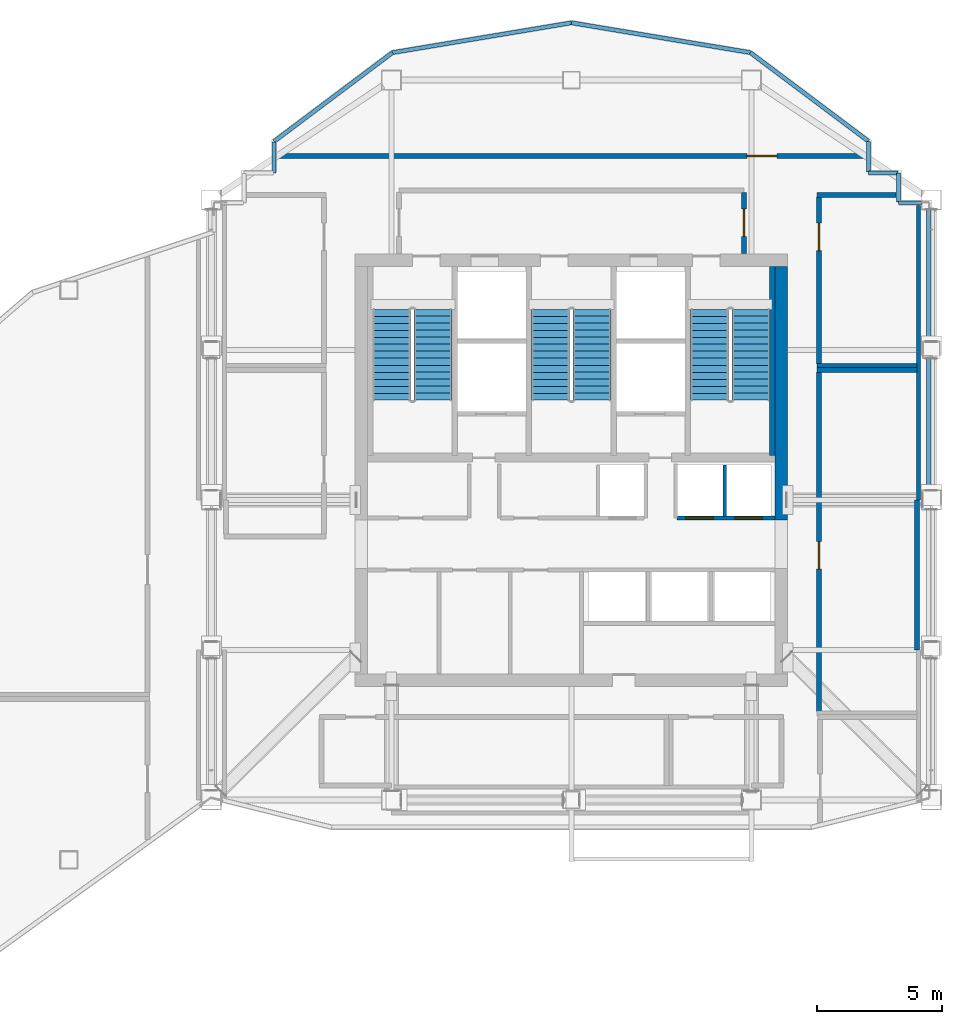
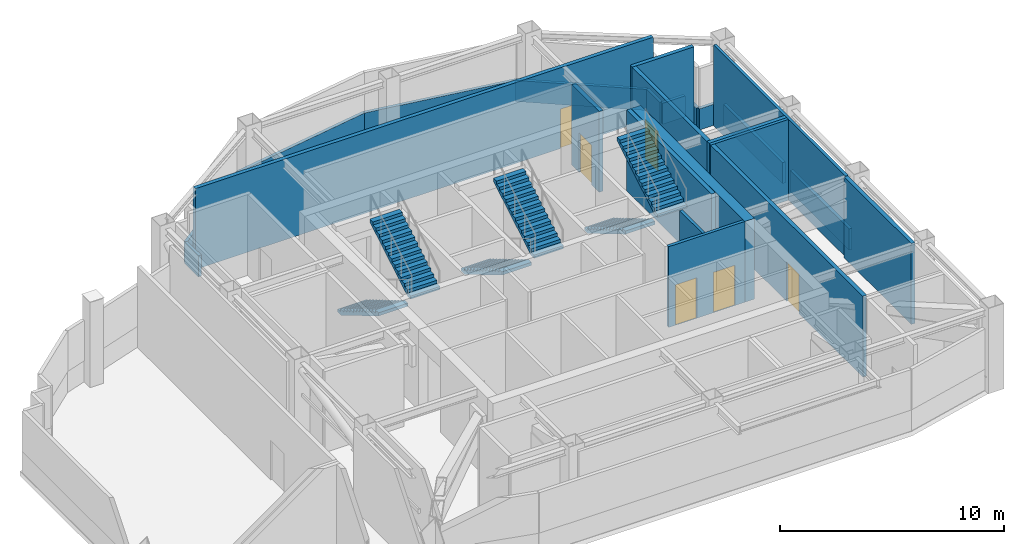
# One storey, part 12 of 15: 24 walls, 6 doors, 6 stair flights, 6 openings, 3 elements without a shape of their own.
"""IFC4 building model written with IfcOpenShell, lengths in metres."""

from ifc_helpers import new_model, si_unit, direction, frame, frame_2d, origin, place, context, subcontext, project, spatial, polyline, rectangle, outline, extrude, material, layer, layer_set, type_object, element, fill, aggregate, save


model = new_model("IFC4")

# Units and contexts
model_context = context("Model", 3, precision=1e-05, world=origin(), true_north=direction((0.0, 1.0)))
body_context = subcontext(model_context, "Body", "Model", "MODEL_VIEW")
ifc_project = project(units=[si_unit("LENGTHUNIT", "METRE"), si_unit("AREAUNIT", "SQUARE_METRE"), si_unit("VOLUMEUNIT", "CUBIC_METRE"), si_unit("PLANEANGLEUNIT", "RADIAN"), si_unit("MASSUNIT", "GRAM", prefix="KILO")], contexts=[model_context])

# Site, building, storey
site_placement = place(None, origin())
site = spatial("IfcSite", under=ifc_project, at=site_placement, CompositionType="ELEMENT")
building_placement = place(site_placement, origin())
building = spatial("IfcBuilding", under=site, at=building_placement, Name="Haolan Belvedere Tower", CompositionType="ELEMENT")
storey_placement = place(building_placement, frame((0.0, 0.0, 277.550048828125)))
storey = spatial("IfcBuildingStorey", under=building, at=storey_placement, Name="L70", CompositionType="ELEMENT", Elevation=277.550048828125)

# Wall
ifc_material_1 = material(Name="Concrete C50/60", Category="concrete")
ifc_layer_1 = layer(ifc_material_1, 0.5, Name="Concrete C50/60")
ifc_layer_set_1 = layer_set([ifc_layer_1], Name="Concrete C50/60")
wall_type_1 = type_object("IfcWallType", Name="WL-CORE-500", PredefinedType="SHEAR", material=ifc_layer_set_1)
wall_1_placement = place(storey_placement, frame((46.800048828125, 32.800048828125, 0.0), z_axis=(0.0, 0.0, 1.0), x_axis=(0.0, 1.0, 0.0)))
element("IfcWall", 1, at=wall_1_placement, inside=storey, type_object=wall_type_1, Name="L70 central core shear wall EN", PredefinedType="SHEAR", context=body_context, shape_type="SweptSolid", body=[
    extrude(rectangle(XDim=10.14990234375, YDim=0.5, at=frame_2d((5.074951171875, 0.0))), origin(), (0.0, 0.0, 1.0), 4.39990234375),
])

# Wall, opening, door
ifc_material_2 = material(Name="Concrete C40/50", Category="concrete")
ifc_layer_2 = layer(ifc_material_2, 0.199951171875, Name="Concrete C40/50")
ifc_layer_set_2 = layer_set([ifc_layer_2], Name="Concrete C40/50")
wall_type_2 = type_object("IfcWallType", Name="WL-FIRE-200", PredefinedType="SOLIDWALL", material=ifc_layer_set_2)
wall_2_placement = place(storey_placement, frame((45.300048828125, 43.449951171875, 0.0), z_axis=(0.0, 0.0, 1.0), x_axis=(0.0, 1.0, 0.0)))
wall_2 = element("IfcWall", 2, at=wall_2_placement, inside=storey, type_object=wall_type_2, Name="L70 interior partition IW-L70-FFL-E", PredefinedType="SOLIDWALL", context=body_context, shape_type="SweptSolid", body=[
    extrude(rectangle(XDim=2.445068359375, YDim=0.199951171875, at=frame_2d((1.22265625, 0.0))), origin(), (0.0, 0.0, 1.0), 4.39990234375),
])
opening_1_placement = place(wall_2_placement, frame((0.699951171875, 0.0, 0.0)))
opening_1 = element("IfcOpeningElement", 3, at=opening_1_placement, cuts=wall_2, Name="Opening FD-03", PredefinedType="OPENING", context=body_context, shape_type="SweptSolid", body=[
    extrude(rectangle(XDim=1.10009765625, YDim=2.14990234375, at=frame_2d((0.550048828125, 1.074951171875))), frame((0.0, 0.10986328125, 0.0), z_axis=(0.0, -1.0, 0.0), x_axis=(1.0, 0.0, 0.0)), (0.0, 0.0, 1.0), 0.219970703125),
])
ifc_material_3 = material(Name="Galvanised fire-rated steel", Category="steel")
door_type_1 = type_object("IfcDoorType", Name="DR-FD90-1100", OperationType="NOTDEFINED", PredefinedType="DOOR", material=ifc_material_3)
door_1_placement = place(opening_1_placement, origin())
door_1 = element("IfcDoor", 4, at=door_1_placement, inside=storey, type_object=door_type_1, Name="L70 door ID-L70-FFL-DE", OperationType="SINGLE_SWING_RIGHT", OverallHeight=2.14990234375, OverallWidth=1.10009765625, PredefinedType="DOOR", context=body_context, shape_type="SweptSolid", body=[
    extrude(rectangle(XDim=1.10009765625, YDim=2.14990234375, at=frame_2d((0.550048828125, 1.074951171875))), frame((0.0, 0.02490234375, 0.0), z_axis=(0.0, -1.0, 0.0), x_axis=(1.0, 0.0, 0.0)), (0.0, 0.0, 1.0), 0.050048828125),
])
fill(opening_1, door_1)

wall_3_placement = place(storey_placement, frame((26.612060546875, 47.360107421875, 0.0), z_axis=(0.0, 0.0, 1.0), x_axis=(1.0, 0.0, 0.0)))
wall_3 = element("IfcWall", 5, at=wall_3_placement, inside=storey, type_object=wall_type_2, Name="L70 interior partition IW-L70-REF-N-S", PredefinedType="SOLIDWALL", context=body_context, shape_type="SweptSolid", body=[
    extrude(rectangle(XDim=23.575927734375, YDim=0.199951171875, at=frame_2d((11.7880859375, 0.0))), origin(), (0.0, 0.0, 1.0), 4.39990234375),
])
opening_2_placement = place(wall_3_placement, frame((18.80908203125, 0.0, 0.0)))
opening_2 = element("IfcOpeningElement", 6, at=opening_2_placement, cuts=wall_3, Name="Opening FD-02", PredefinedType="OPENING", context=body_context, shape_type="SweptSolid", body=[
    extrude(rectangle(XDim=1.199951171875, YDim=2.14990234375, at=frame_2d((0.60009765625, 1.074951171875))), frame((0.0, 0.10986328125, 0.0), z_axis=(0.0, -1.0, 0.0), x_axis=(1.0, 0.0, 0.0)), (0.0, 0.0, 1.0), 0.219970703125),
])
door_type_2 = type_object("IfcDoorType", Name="DR-FD90-1200", OperationType="NOTDEFINED", PredefinedType="DOOR", material=ifc_material_3)
door_2_placement = place(opening_2_placement, origin())
door_2 = element("IfcDoor", 7, at=door_2_placement, inside=storey, type_object=door_type_2, Name="L70 door ID-L70-REF-N", OperationType="SINGLE_SWING_LEFT", OverallHeight=2.14990234375, OverallWidth=1.199951171875, PredefinedType="DOOR", context=body_context, shape_type="SweptSolid", body=[
    extrude(rectangle(XDim=1.199951171875, YDim=2.14990234375, at=frame_2d((0.60009765625, 1.074951171875))), frame((0.0, 0.02490234375, 0.0), z_axis=(0.0, -1.0, 0.0), x_axis=(1.0, 0.0, 0.0)), (0.0, 0.0, 1.0), 0.050048828125),
])
fill(opening_2, door_2)

# Wall
wall_4_placement = place(storey_placement, frame((48.219970703125, 38.800048828125, 0.0), z_axis=(0.0, 0.0, 1.0), x_axis=(1.0, 0.0, 0.0)))
element("IfcWall", 8, at=wall_4_placement, inside=storey, type_object=wall_type_2, Name="L70 interior partition IW-L70-REF-E1-N", PredefinedType="SOLIDWALL", context=body_context, shape_type="SweptSolid", body=[
    extrude(rectangle(XDim=4.0, YDim=0.199951171875, at=frame_2d((2.0, 0.0))), origin(), (0.0, 0.0, 1.0), 4.39990234375),
])

# Wall, opening, door
wall_5_placement = place(storey_placement, frame((48.300048828125, 25.135009765625, 0.0), z_axis=(0.0, 0.0, 1.0), x_axis=(0.0, 1.0, 0.0)))
wall_5 = element("IfcWall", 9, at=wall_5_placement, inside=storey, type_object=wall_type_2, Name="L70 interior partition IW-L70-REF-E1-W", PredefinedType="SOLIDWALL", context=body_context, shape_type="SweptSolid", body=[
    extrude(rectangle(XDim=13.580078125, YDim=0.199951171875, at=frame_2d((6.7900390625, 0.0))), origin(), (0.0, 0.0, 1.0), 4.39990234375),
])
opening_3_placement = place(wall_5_placement, frame((5.70361328125, 0.0, 0.0)))
opening_3 = element("IfcOpeningElement", 10, at=opening_3_placement, cuts=wall_5, Name="Opening FD-03", PredefinedType="OPENING", context=body_context, shape_type="SweptSolid", body=[
    extrude(rectangle(XDim=1.10009765625, YDim=2.14990234375, at=frame_2d((0.550048828125, 1.074951171875))), frame((0.0, 0.10986328125, 0.0), z_axis=(0.0, -1.0, 0.0), x_axis=(1.0, 0.0, 0.0)), (0.0, 0.0, 1.0), 0.219970703125),
])
door_3_placement = place(opening_3_placement, origin())
door_3 = element("IfcDoor", 11, at=door_3_placement, inside=storey, type_object=door_type_1, Name="L70 door ID-L70-REF-E1", OperationType="SINGLE_SWING_RIGHT", OverallHeight=2.14990234375, OverallWidth=1.10009765625, PredefinedType="DOOR", context=body_context, shape_type="SweptSolid", body=[
    extrude(rectangle(XDim=1.10009765625, YDim=2.14990234375, at=frame_2d((0.550048828125, 1.074951171875))), frame((0.0, 0.02490234375, 0.0), z_axis=(0.0, -1.0, 0.0), x_axis=(1.0, 0.0, 0.0)), (0.0, 0.0, 1.0), 0.050048828125),
])
fill(opening_3, door_3)

# Walls
wall_6_placement = place(storey_placement, frame((52.219970703125, 27.60205078125, 0.0), z_axis=(0.0, 0.0, 1.0), x_axis=(0.0, 1.0, 0.0)))
element("IfcWall", 12, at=wall_6_placement, inside=storey, type_object=wall_type_2, Name="L70 interior partition IW-L70-REF-E1-E", PredefinedType="SOLIDWALL", context=body_context, shape_type="SweptSolid", body=[
    extrude(rectangle(XDim=5.995849609375, YDim=0.199951171875, at=frame_2d((2.998046875, 0.0))), origin(), (0.0, 0.0, 1.0), 4.39990234375),
])
wall_7_placement = place(storey_placement, frame((48.219970703125, 45.800048828125, 0.0), z_axis=(0.0, 0.0, 1.0), x_axis=(1.0, 0.0, 0.0)))
element("IfcWall", 13, at=wall_7_placement, inside=storey, type_object=wall_type_2, Name="L70 interior partition IW-L70-REF-E2-N", PredefinedType="SOLIDWALL", context=body_context, shape_type="SweptSolid", body=[
    extrude(rectangle(XDim=3.16796875, YDim=0.199951171875, at=frame_2d((1.583984375, 0.0))), origin(), (0.0, 0.0, 1.0), 4.39990234375),
])
wall_8_placement = place(storey_placement, frame((48.219970703125, 38.9599609375, 0.0), z_axis=(0.0, 0.0, 1.0), x_axis=(1.0, 0.0, 0.0)))
element("IfcWall", 14, at=wall_8_placement, inside=storey, type_object=wall_type_2, Name="L70 interior partition IW-L70-REF-E2-S", PredefinedType="SOLIDWALL", context=body_context, shape_type="SweptSolid", body=[
    extrude(rectangle(XDim=4.0, YDim=0.199951171875, at=frame_2d((2.0, 0.0))), origin(), (0.0, 0.0, 1.0), 4.39990234375),
])

# Wall, opening, door
wall_9_placement = place(storey_placement, frame((48.300048828125, 39.044921875, 0.0), z_axis=(0.0, 0.0, 1.0), x_axis=(0.0, 1.0, 0.0)))
wall_9 = element("IfcWall", 15, at=wall_9_placement, inside=storey, type_object=wall_type_2, Name="L70 interior partition IW-L70-REF-E2-W", PredefinedType="SOLIDWALL", context=body_context, shape_type="SweptSolid", body=[
    extrude(rectangle(XDim=6.670166015625, YDim=0.199951171875, at=frame_2d((3.3349609375, 0.0))), origin(), (0.0, 0.0, 1.0), 4.39990234375),
])
opening_4_placement = place(wall_9_placement, frame((4.534912109375, 0.0, 0.0)))
opening_4 = element("IfcOpeningElement", 16, at=opening_4_placement, cuts=wall_9, Name="Opening FD-03", PredefinedType="OPENING", context=body_context, shape_type="SweptSolid", body=[
    extrude(rectangle(XDim=1.10009765625, YDim=2.14990234375, at=frame_2d((0.550048828125, 1.074951171875))), frame((0.0, 0.10986328125, 0.0), z_axis=(0.0, -1.0, 0.0), x_axis=(1.0, 0.0, 0.0)), (0.0, 0.0, 1.0), 0.219970703125),
])
door_4_placement = place(opening_4_placement, origin())
door_4 = element("IfcDoor", 17, at=door_4_placement, inside=storey, type_object=door_type_1, Name="L70 door ID-L70-REF-E2", OperationType="SINGLE_SWING_LEFT", OverallHeight=2.14990234375, OverallWidth=1.10009765625, PredefinedType="DOOR", context=body_context, shape_type="SweptSolid", body=[
    extrude(rectangle(XDim=1.10009765625, YDim=2.14990234375, at=frame_2d((0.550048828125, 1.074951171875))), frame((0.0, 0.02490234375, 0.0), z_axis=(0.0, -1.0, 0.0), x_axis=(1.0, 0.0, 0.0)), (0.0, 0.0, 1.0), 0.050048828125),
])
fill(opening_4, door_4)

# Walls
ifc_material_4 = material(Name="Precast concrete C40/50", Category="concrete")
ifc_layer_3 = layer(ifc_material_4, 0.159912109375, Name="Precast concrete C40/50")
ifc_layer_set_3 = layer_set([ifc_layer_3], Name="Precast concrete C40/50")
wall_type_3 = type_object("IfcWallType", Name="WL-PAR-160", PredefinedType="PARAPET", material=ifc_layer_set_3)
for number, where, z_axis, x_axis, name in (
    (18, (52.68994140625, 33.991943359375, 0.0), (0.0, 0.0, 1.0), (0.0, 1.0, 0.0), "L70 refuge open-band parapet 3.3"),
    (19, (52.68994140625, 39.94189453125, 0.0), (0.0, 0.0, 1.0), (0.0, 1.0, 0.0), "L70 refuge open-band parapet 3.4"),
):
    element("IfcWall", number, at=place(storey_placement, frame(where, z_axis=z_axis, x_axis=x_axis)), inside=storey, type_object=wall_type_3, Name=name, PredefinedType="PARAPET", context=body_context, shape_type="SweptSolid", body=[
        extrude(rectangle(XDim=5.26611328125, YDim=0.159912109375, at=frame_2d((2.633056640625, 0.0))), origin(), (0.0, 0.0, 1.0), 1.14990234375),
    ])
wall_10_placement = place(storey_placement, frame((52.407958984375, 45.489990234375, 0.0), z_axis=(0.0, 0.0, 1.0), x_axis=(-1.0, 0.0, 0.0)))
element("IfcWall", 20, at=wall_10_placement, inside=storey, type_object=wall_type_3, Name="L70 refuge open-band parapet 4.1", PredefinedType="PARAPET", context=body_context, shape_type="SweptSolid", body=[
    extrude(rectangle(XDim=0.91796875, YDim=0.159912109375, at=frame_2d((0.458984375, 0.0))), origin(), (0.0, 0.0, 1.0), 1.14990234375),
])
for number, where, z_axis, x_axis, name in (
    (21, (51.489990234375, 45.52001953125, 0.0), (0.0, 0.0, 1.0), (0.0, 1.0, 0.0), "L70 refuge open-band parapet 5.1"),
    (22, (51.4599609375, 46.68994140625, 0.0), (0.0, 0.0, 1.0), (-1.0, 0.0, 0.0), "L70 refuge open-band parapet 6.1"),
):
    element("IfcWall", number, at=place(storey_placement, frame(where, z_axis=z_axis, x_axis=x_axis)), inside=storey, type_object=wall_type_3, Name=name, PredefinedType="PARAPET", context=body_context, shape_type="SweptSolid", body=[
        extrude(rectangle(XDim=1.169921875, YDim=0.159912109375, at=frame_2d((0.5849609375, 0.0))), origin(), (0.0, 0.0, 1.0), 1.14990234375),
    ])
wall_11_placement = place(storey_placement, frame((50.2900390625, 46.719970703125, 0.0), z_axis=(0.0, 0.0, 1.0), x_axis=(0.0, 1.0, 0.0)))
element("IfcWall", 23, at=wall_11_placement, inside=storey, type_object=wall_type_3, Name="L70 refuge open-band parapet 7.1", PredefinedType="PARAPET", context=body_context, shape_type="SweptSolid", body=[
    extrude(rectangle(XDim=1.22509765625, YDim=0.159912109375, at=frame_2d((0.612548828125, 0.0))), origin(), (0.0, 0.0, 1.0), 1.14990234375),
])
wall_12_placement = place(storey_placement, frame((50.278076171875, 47.9541015625, 0.0), z_axis=(0.0, 0.0, 1.0), x_axis=(-0.800019851171, 0.599973530859, 0.0)))
element("IfcWall", 24, at=wall_12_placement, inside=storey, type_object=wall_type_3, Name="L70 refuge open-band parapet 8.1", PredefinedType="PARAPET", context=body_context, shape_type="SweptSolid", body=[
    extrude(rectangle(XDim=5.903076171875, YDim=0.159912109375, at=frame_2d((2.95166015625, 0.0))), origin(), (0.0, 0.0, 1.0), 1.14990234375),
])
for number, where, z_axis, x_axis, name in (
    (25, (45.555419921875, 51.495849609375, 0.0), (0.0, 0.0, 1.0), (-0.986393014224, 0.164404444863, 0.0), "L70 refuge open-band parapet 9.1"),
    (26, (38.39990234375, 52.6884765625, 0.0), (0.0, 0.0, 1.0), (-0.986393014224, -0.164404444863, 0.0), "L70 refuge open-band parapet 10.1"),
):
    element("IfcWall", number, at=place(storey_placement, frame(where, z_axis=z_axis, x_axis=x_axis)), inside=storey, type_object=wall_type_3, Name=name, PredefinedType="PARAPET", context=body_context, shape_type="SweptSolid", body=[
        extrude(rectangle(XDim=7.254150390625, YDim=0.159912109375, at=frame_2d((3.626953125, 0.0))), origin(), (0.0, 0.0, 1.0), 1.14990234375),
    ])
wall_13_placement = place(storey_placement, frame((31.244384765625, 51.495849609375, 0.0), z_axis=(0.0, 0.0, 1.0), x_axis=(-0.8, -0.6, 0.0)))
element("IfcWall", 27, at=wall_13_placement, inside=storey, type_object=wall_type_3, Name="L70 refuge open-band parapet 11.1", PredefinedType="PARAPET", context=body_context, shape_type="SweptSolid", body=[
    extrude(rectangle(XDim=5.91796875, YDim=0.159912109375, at=frame_2d((2.958984375, 0.0))), origin(), (0.0, 0.0, 1.0), 1.14990234375),
])
wall_14_placement = place(storey_placement, frame((26.510009765625, 47.929931640625, 0.0), z_axis=(0.0, 0.0, 1.0), x_axis=(0.0, -1.0, 0.0)))
element("IfcWall", 28, at=wall_14_placement, inside=storey, type_object=wall_type_3, Name="L70 refuge open-band parapet 12.1", PredefinedType="PARAPET", context=body_context, shape_type="SweptSolid", body=[
    extrude(rectangle(XDim=1.239990234375, YDim=0.159912109375, at=frame_2d((0.6201171875, 0.0))), origin(), (0.0, 0.0, 1.0), 1.14990234375),
])
ifc_material_5 = material(Name="Double gypsum acoustic stud partition", Category="masonry")
ifc_layer_4 = layer(ifc_material_5, 0.14990234375, Name="Double gypsum acoustic stud partition")
ifc_layer_set_4 = layer_set([ifc_layer_4], Name="Double gypsum acoustic stud partition")
wall_type_4 = type_object("IfcWallType", Name="WL-PART-150", PredefinedType="PARTITIONING", material=ifc_layer_set_4)
wall_15_placement = place(storey_placement, frame((52.280029296875, 33.60009765625, 0.0), z_axis=(0.0, 0.0, 1.0), x_axis=(0.0, 1.0, 0.0)))
element("IfcWall", 29, at=wall_15_placement, inside=storey, type_object=wall_type_4, Name="L70 interior partition IW-L70-CH-BTE3-2", PredefinedType="PARTITIONING", context=body_context, shape_type="SweptSolid", body=[
    extrude(rectangle(XDim=11.787841796875, YDim=0.14990234375, at=frame_2d((5.89404296875, 0.0))), origin(), (0.0, 0.0, 1.0), 4.39990234375),
])

# Wall, openings, doors
ifc_material_6 = material(Name="Gypsum fire shaftwall assembly", Category="masonry")
ifc_layer_5 = layer(ifc_material_6, 0.1650390625, Name="Gypsum fire shaftwall assembly")
ifc_layer_set_5 = layer_set([ifc_layer_5], Name="Gypsum fire shaftwall assembly")
wall_type_5 = type_object("IfcWallType", Name="WL-SHAFT-160", PredefinedType="SOLIDWALL", material=ifc_layer_set_5)
wall_16_placement = place(storey_placement, frame((42.6298828125, 32.8798828125, 0.0), z_axis=(0.0, 0.0, 1.0), x_axis=(1.0, 0.0, 0.0)))
wall_16 = element("IfcWall", 30, at=wall_16_placement, inside=storey, type_object=wall_type_5, Name="L70 interior partition IW-L70-ROW-PN3", PredefinedType="SOLIDWALL", context=body_context, shape_type="SweptSolid", body=[
    extrude(rectangle(XDim=3.920166015625, YDim=0.159912109375, at=frame_2d((1.9599609375, 0.0))), origin(), (0.0, 0.0, 1.0), 4.39990234375),
])
opening_5_placement = place(wall_16_placement, frame((1.4501953125, 0.0, 0.0), z_axis=(0.0, 0.0, 1.0), x_axis=(-1.0, 0.0, 0.0)))
opening_5 = element("IfcOpeningElement", 31, at=opening_5_placement, cuts=wall_16, Name="Opening LD-01", PredefinedType="OPENING", context=body_context, shape_type="SweptSolid", body=[
    extrude(rectangle(XDim=1.10009765625, YDim=2.199951171875, at=frame_2d((0.550048828125, 1.10009765625))), frame((0.0, 0.08984375, 0.0), z_axis=(0.0, -1.0, 0.0), x_axis=(1.0, 0.0, 0.0)), (0.0, 0.0, 1.0), 0.179931640625),
])
opening_6_placement = place(wall_16_placement, frame((3.41015625, 0.0, 0.0), z_axis=(0.0, 0.0, 1.0), x_axis=(-1.0, 0.0, 0.0)))
opening_6 = element("IfcOpeningElement", 32, at=opening_6_placement, cuts=wall_16, Name="Opening LD-01", PredefinedType="OPENING", context=body_context, shape_type="SweptSolid", body=[
    extrude(rectangle(XDim=1.10009765625, YDim=2.199951171875, at=frame_2d((0.550048828125, 1.10009765625))), frame((0.0, 0.08984375, 0.0), z_axis=(0.0, -1.0, 0.0), x_axis=(1.0, 0.0, 0.0)), (0.0, 0.0, 1.0), 0.179931640625),
])
ifc_material_7 = material(Name="Brushed champagne stainless steel 316L", Category="steel")
door_type_3 = type_object("IfcDoorType", Name="DR-LIFT-1100", OperationType="SLIDING_TO_LEFT", PredefinedType="DOOR", material=ifc_material_7)
door_5_placement = place(opening_5_placement, origin())
door_5 = element("IfcDoor", 33, at=door_5_placement, inside=storey, type_object=door_type_3, Name="L70 door ID-L70-LD-PH2", OperationType="SLIDING_TO_RIGHT", OverallHeight=2.199951171875, OverallWidth=1.10009765625, PredefinedType="DOOR", context=body_context, shape_type="SweptSolid", body=[
    extrude(rectangle(XDim=1.10009765625, YDim=2.199951171875, at=frame_2d((0.550048828125, 1.10009765625))), frame((0.0, 0.02490234375, 0.0), z_axis=(0.0, -1.0, 0.0), x_axis=(1.0, 0.0, 0.0)), (0.0, 0.0, 1.0), 0.050048828125),
])
fill(opening_5, door_5)
door_6_placement = place(opening_6_placement, origin())
door_6 = element("IfcDoor", 34, at=door_6_placement, inside=storey, type_object=door_type_3, Name="L70 door ID-L70-LD-PH3", OperationType="SLIDING_TO_RIGHT", OverallHeight=2.199951171875, OverallWidth=1.10009765625, PredefinedType="DOOR", context=body_context, shape_type="SweptSolid", body=[
    extrude(rectangle(XDim=1.10009765625, YDim=2.199951171875, at=frame_2d((0.550048828125, 1.10009765625))), frame((0.0, 0.02490234375, 0.0), z_axis=(0.0, -1.0, 0.0), x_axis=(1.0, 0.0, 0.0)), (0.0, 0.0, 1.0), 0.050048828125),
])
fill(opening_6, door_6)

# Walls
wall_17_placement = place(storey_placement, frame((44.530029296875, 32.949951171875, 0.0), z_axis=(0.0, 0.0, 1.0), x_axis=(0.0, 1.0, 0.0)))
element("IfcWall", 35, at=wall_17_placement, inside=storey, type_object=wall_type_5, Name="L70 interior partition IW-L70-DIV-PH2", PredefinedType="SOLIDWALL", context=body_context, shape_type="SweptSolid", body=[
    extrude(rectangle(XDim=2.050048828125, YDim=0.14990234375, at=frame_2d((1.02490234375, 0.0))), origin(), (0.0, 0.0, 1.0), 4.39990234375),
])
ifc_layer_6 = layer(ifc_material_1, 0.219970703125, Name="Concrete C50/60")
ifc_layer_set_6 = layer_set([ifc_layer_6], Name="Concrete C50/60")
wall_type_6 = type_object("IfcWallType", Name="WL-STAIR-220", PredefinedType="SHEAR", material=ifc_layer_set_6)
wall_18_placement = place(storey_placement, frame((46.43798828125, 35.389892578125, 0.0), z_axis=(0.0, 0.0, 1.0), x_axis=(0.0, 1.0, 0.0)))
element("IfcWall", 36, at=wall_18_placement, inside=storey, type_object=wall_type_6, Name="L70 structural stair core wall ST2E", PredefinedType="SHEAR", context=body_context, shape_type="SweptSolid", body=[
    extrude(rectangle(XDim=7.56005859375, YDim=0.219970703125, at=frame_2d((3.780029296875, 0.0))), origin(), (0.0, 0.0, 1.0), 4.39990234375),
])

# Stair, stair flights
stair_type = type_object("IfcStairType", Name="STR-DL-28R-166", PredefinedType="HALF_TURN_STAIR", material=ifc_material_2)
stair_1_placement = place(storey_placement, origin())
stair_1 = element("IfcStair", 37, at=stair_1_placement, inside=storey, type_object=stair_type, Name="L70 Smokeproof Core Exit Stair ST1", PredefinedType="HALF_TURN_STAIR")
stair_flight_type = type_object("IfcStairFlightType", Name="SFL-DL-14R-166", PredefinedType="STRAIGHT", material=ifc_material_2)
stair_flight_1_placement = place(storey_placement, frame((31.2099609375, 41.22998046875, 0.0), z_axis=(0.0, 0.0, 1.0), x_axis=(0.0, -1.0, 0.0)))
stair_flight_1 = element("IfcStairFlight", 38, at=stair_flight_1_placement, type_object=stair_flight_type, Name="ST1 flight 1", NumberOfRisers=14, NumberOfTreads=13, PredefinedType="STRAIGHT", RiserHeight=0.166071429, TreadLength=0.28, context=body_context, shape_type="SweptSolid", body=[
    extrude(outline(polyline([(0.0, 0.0), (0.0, 0.166015625), (0.280029296875, 0.166015625), (0.280029296875, 0.33203125), (0.56005859375, 0.33203125), (0.56005859375, 0.498291015625), (0.840087890625, 0.498291015625), (0.840087890625, 0.664306640625), (1.1201171875, 0.664306640625), (1.1201171875, 0.830322265625), (1.39990234375, 0.830322265625), (1.39990234375, 0.996337890625), (1.679931640625, 0.996337890625), (1.679931640625, 1.16259765625), (1.9599609375, 1.16259765625), (1.9599609375, 1.32861328125), (2.239990234375, 1.32861328125), (2.239990234375, 1.49462890625), (2.52001953125, 1.49462890625), (2.52001953125, 1.66064453125), (2.800048828125, 1.66064453125), (2.800048828125, 1.826904296875), (3.080078125, 1.826904296875), (3.080078125, 1.992919921875), (3.360107421875, 1.992919921875), (3.360107421875, 2.158935546875), (3.639892578125, 2.158935546875), (3.639892578125, 2.324951171875), (3.639892578125, 1.984619140625), (0.2939453125, 0.0), (0.0, 0.0)])), frame((0.0, 0.760009765625, 0.0), z_axis=(0.0, -1.0, 0.0), x_axis=(1.0, 0.0, 0.0)), (0.0, 0.0, 1.0), 1.52001953125),
])
stair_flight_2_placement = place(storey_placement, frame((32.8701171875, 37.590087890625, 2.324951171875), z_axis=(0.0, 0.0, 1.0), x_axis=(0.0, 1.0, 0.0)))
stair_flight_2 = element("IfcStairFlight", 39, at=stair_flight_2_placement, type_object=stair_flight_type, Name="ST1 flight 2", NumberOfRisers=14, NumberOfTreads=13, PredefinedType="STRAIGHT", RiserHeight=0.166071429, TreadLength=0.28, context=body_context, shape_type="SweptSolid", body=[
    extrude(outline(polyline([(0.0, 0.0), (0.0, 0.166015625), (0.280029296875, 0.166015625), (0.280029296875, 0.33203125), (0.56005859375, 0.33203125), (0.56005859375, 0.498291015625), (0.840087890625, 0.498291015625), (0.840087890625, 0.664306640625), (1.1201171875, 0.664306640625), (1.1201171875, 0.830322265625), (1.39990234375, 0.830322265625), (1.39990234375, 0.996337890625), (1.679931640625, 0.996337890625), (1.679931640625, 1.16259765625), (1.9599609375, 1.16259765625), (1.9599609375, 1.32861328125), (2.239990234375, 1.32861328125), (2.239990234375, 1.49462890625), (2.52001953125, 1.49462890625), (2.52001953125, 1.66064453125), (2.800048828125, 1.66064453125), (2.800048828125, 1.826904296875), (3.080078125, 1.826904296875), (3.080078125, 1.992919921875), (3.360107421875, 1.992919921875), (3.360107421875, 2.158935546875), (3.639892578125, 2.158935546875), (3.639892578125, 2.324951171875), (3.639892578125, 1.984619140625), (0.2939453125, 0.0), (0.0, 0.0)])), frame((0.0, 0.760009765625, 0.0), z_axis=(0.0, -1.0, 0.0), x_axis=(1.0, 0.0, 0.0)), (0.0, 0.0, 1.0), 1.52001953125),
])
aggregate(stair_1, [stair_flight_1, stair_flight_2])

stair_2_placement = place(storey_placement, origin())
stair_2 = element("IfcStair", 40, at=stair_2_placement, inside=storey, type_object=stair_type, Name="L70 Smokeproof Core Exit Stair ST3", PredefinedType="HALF_TURN_STAIR")
stair_flight_3_placement = place(storey_placement, frame((37.570068359375, 41.22998046875, 0.0), z_axis=(0.0, 0.0, 1.0), x_axis=(0.0, -1.0, 0.0)))
stair_flight_3 = element("IfcStairFlight", 41, at=stair_flight_3_placement, type_object=stair_flight_type, Name="ST3 flight 1", NumberOfRisers=14, NumberOfTreads=13, PredefinedType="STRAIGHT", RiserHeight=0.166071429, TreadLength=0.28, context=body_context, shape_type="SweptSolid", body=[
    extrude(outline(polyline([(0.0, 0.0), (0.0, 0.166015625), (0.280029296875, 0.166015625), (0.280029296875, 0.33203125), (0.56005859375, 0.33203125), (0.56005859375, 0.498291015625), (0.840087890625, 0.498291015625), (0.840087890625, 0.664306640625), (1.1201171875, 0.664306640625), (1.1201171875, 0.830322265625), (1.39990234375, 0.830322265625), (1.39990234375, 0.996337890625), (1.679931640625, 0.996337890625), (1.679931640625, 1.16259765625), (1.9599609375, 1.16259765625), (1.9599609375, 1.32861328125), (2.239990234375, 1.32861328125), (2.239990234375, 1.49462890625), (2.52001953125, 1.49462890625), (2.52001953125, 1.66064453125), (2.800048828125, 1.66064453125), (2.800048828125, 1.826904296875), (3.080078125, 1.826904296875), (3.080078125, 1.992919921875), (3.360107421875, 1.992919921875), (3.360107421875, 2.158935546875), (3.639892578125, 2.158935546875), (3.639892578125, 2.324951171875), (3.639892578125, 1.984619140625), (0.2939453125, 0.0), (0.0, 0.0)])), frame((0.0, 0.760009765625, 0.0), z_axis=(0.0, -1.0, 0.0), x_axis=(1.0, 0.0, 0.0)), (0.0, 0.0, 1.0), 1.52001953125),
])
stair_flight_4_placement = place(storey_placement, frame((39.22998046875, 37.590087890625, 2.324951171875), z_axis=(0.0, 0.0, 1.0), x_axis=(0.0, 1.0, 0.0)))
stair_flight_4 = element("IfcStairFlight", 42, at=stair_flight_4_placement, type_object=stair_flight_type, Name="ST3 flight 2", NumberOfRisers=14, NumberOfTreads=13, PredefinedType="STRAIGHT", RiserHeight=0.166071429, TreadLength=0.28, context=body_context, shape_type="SweptSolid", body=[
    extrude(outline(polyline([(0.0, 0.0), (0.0, 0.166015625), (0.280029296875, 0.166015625), (0.280029296875, 0.33203125), (0.56005859375, 0.33203125), (0.56005859375, 0.498291015625), (0.840087890625, 0.498291015625), (0.840087890625, 0.664306640625), (1.1201171875, 0.664306640625), (1.1201171875, 0.830322265625), (1.39990234375, 0.830322265625), (1.39990234375, 0.996337890625), (1.679931640625, 0.996337890625), (1.679931640625, 1.16259765625), (1.9599609375, 1.16259765625), (1.9599609375, 1.32861328125), (2.239990234375, 1.32861328125), (2.239990234375, 1.49462890625), (2.52001953125, 1.49462890625), (2.52001953125, 1.66064453125), (2.800048828125, 1.66064453125), (2.800048828125, 1.826904296875), (3.080078125, 1.826904296875), (3.080078125, 1.992919921875), (3.360107421875, 1.992919921875), (3.360107421875, 2.158935546875), (3.639892578125, 2.158935546875), (3.639892578125, 2.324951171875), (3.639892578125, 1.984619140625), (0.2939453125, 0.0), (0.0, 0.0)])), frame((0.0, 0.760009765625, 0.0), z_axis=(0.0, -1.0, 0.0), x_axis=(1.0, 0.0, 0.0)), (0.0, 0.0, 1.0), 1.52001953125),
])
aggregate(stair_2, [stair_flight_3, stair_flight_4])

stair_3_placement = place(storey_placement, origin())
stair_3 = element("IfcStair", 43, at=stair_3_placement, inside=storey, type_object=stair_type, Name="L70 Smokeproof Core Exit Stair ST2", PredefinedType="HALF_TURN_STAIR")
stair_flight_5_placement = place(storey_placement, frame((43.929931640625, 41.22998046875, 0.0), z_axis=(0.0, 0.0, 1.0), x_axis=(0.0, -1.0, 0.0)))
stair_flight_5 = element("IfcStairFlight", 44, at=stair_flight_5_placement, type_object=stair_flight_type, Name="ST2 flight 1", NumberOfRisers=14, NumberOfTreads=13, PredefinedType="STRAIGHT", RiserHeight=0.166071429, TreadLength=0.28, context=body_context, shape_type="SweptSolid", body=[
    extrude(outline(polyline([(0.0, 0.0), (0.0, 0.166015625), (0.280029296875, 0.166015625), (0.280029296875, 0.33203125), (0.56005859375, 0.33203125), (0.56005859375, 0.498291015625), (0.840087890625, 0.498291015625), (0.840087890625, 0.664306640625), (1.1201171875, 0.664306640625), (1.1201171875, 0.830322265625), (1.39990234375, 0.830322265625), (1.39990234375, 0.996337890625), (1.679931640625, 0.996337890625), (1.679931640625, 1.16259765625), (1.9599609375, 1.16259765625), (1.9599609375, 1.32861328125), (2.239990234375, 1.32861328125), (2.239990234375, 1.49462890625), (2.52001953125, 1.49462890625), (2.52001953125, 1.66064453125), (2.800048828125, 1.66064453125), (2.800048828125, 1.826904296875), (3.080078125, 1.826904296875), (3.080078125, 1.992919921875), (3.360107421875, 1.992919921875), (3.360107421875, 2.158935546875), (3.639892578125, 2.158935546875), (3.639892578125, 2.324951171875), (3.639892578125, 1.984619140625), (0.2939453125, 0.0), (0.0, 0.0)])), frame((0.0, 0.760009765625, 0.0), z_axis=(0.0, -1.0, 0.0), x_axis=(1.0, 0.0, 0.0)), (0.0, 0.0, 1.0), 1.52001953125),
])
stair_flight_6_placement = place(storey_placement, frame((45.590087890625, 37.590087890625, 2.324951171875), z_axis=(0.0, 0.0, 1.0), x_axis=(0.0, 1.0, 0.0)))
stair_flight_6 = element("IfcStairFlight", 45, at=stair_flight_6_placement, type_object=stair_flight_type, Name="ST2 flight 2", NumberOfRisers=14, NumberOfTreads=13, PredefinedType="STRAIGHT", RiserHeight=0.166071429, TreadLength=0.28, context=body_context, shape_type="SweptSolid", body=[
    extrude(outline(polyline([(0.0, 0.0), (0.0, 0.166015625), (0.280029296875, 0.166015625), (0.280029296875, 0.33203125), (0.56005859375, 0.33203125), (0.56005859375, 0.498291015625), (0.840087890625, 0.498291015625), (0.840087890625, 0.664306640625), (1.1201171875, 0.664306640625), (1.1201171875, 0.830322265625), (1.39990234375, 0.830322265625), (1.39990234375, 0.996337890625), (1.679931640625, 0.996337890625), (1.679931640625, 1.16259765625), (1.9599609375, 1.16259765625), (1.9599609375, 1.32861328125), (2.239990234375, 1.32861328125), (2.239990234375, 1.49462890625), (2.52001953125, 1.49462890625), (2.52001953125, 1.66064453125), (2.800048828125, 1.66064453125), (2.800048828125, 1.826904296875), (3.080078125, 1.826904296875), (3.080078125, 1.992919921875), (3.360107421875, 1.992919921875), (3.360107421875, 2.158935546875), (3.639892578125, 2.158935546875), (3.639892578125, 2.324951171875), (3.639892578125, 1.984619140625), (0.2939453125, 0.0), (0.0, 0.0)])), frame((0.0, 0.760009765625, 0.0), z_axis=(0.0, -1.0, 0.0), x_axis=(1.0, 0.0, 0.0)), (0.0, 0.0, 1.0), 1.52001953125),
])
aggregate(stair_3, [stair_flight_5, stair_flight_6])

save(model, "model.ifc")
